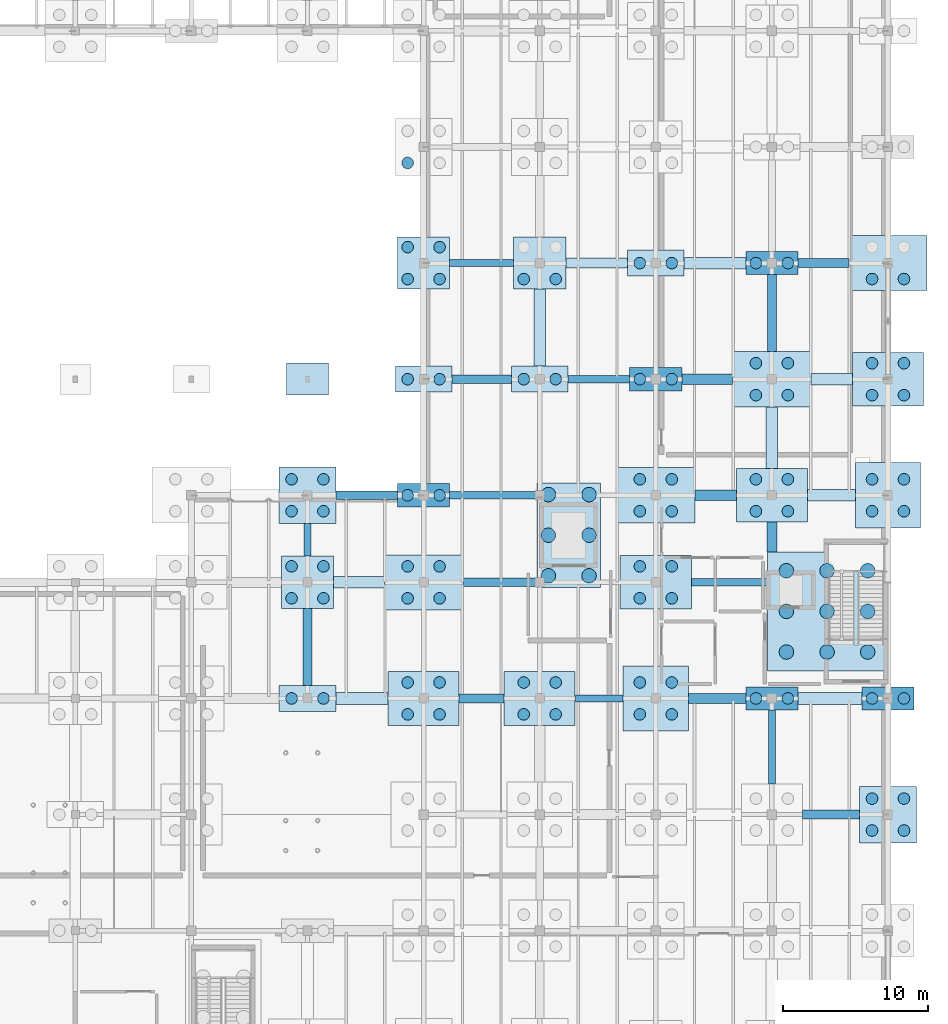
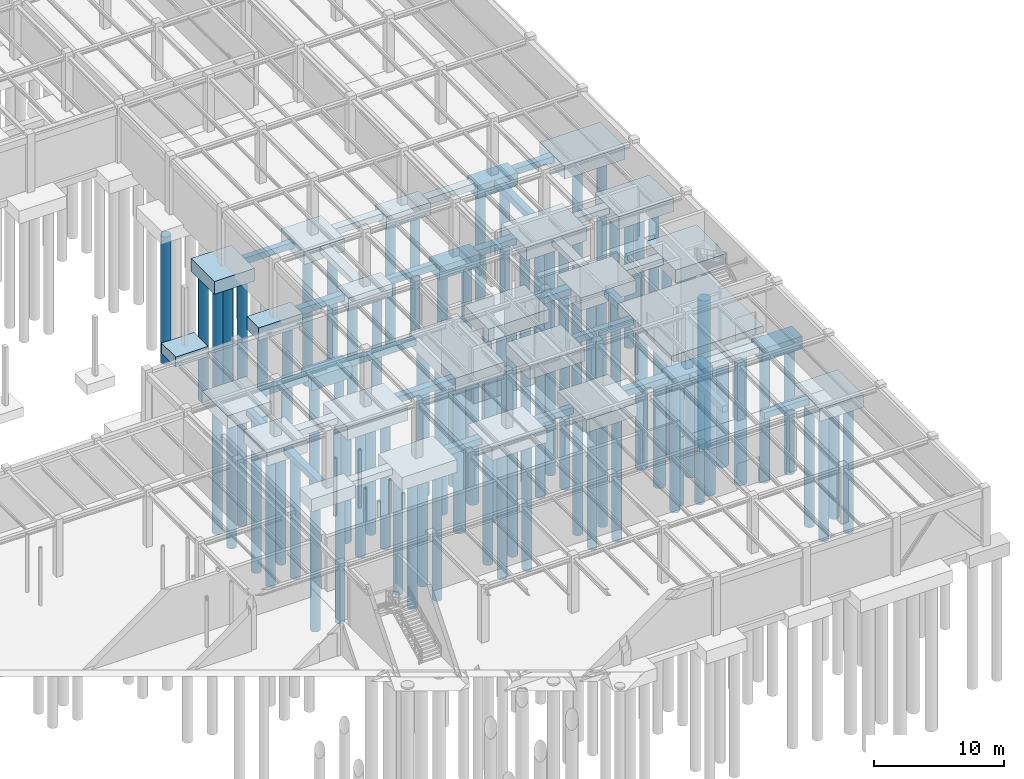
# One storey, part 8 of 71: 94 piles, 56 footings.
"""IFC4 building model written with IfcOpenShell, lengths in metres."""

from ifc_helpers import new_model, si_unit, direction, frame, origin, origin_2d, place, context, subcontext, project, spatial, rectangle, circle, extrude, material, material_profile, profile_set, type_object, element, save


model = new_model("IFC4")

# Units and contexts
model_context = context("Model", 3, precision=1e-05, world=origin(), true_north=direction((0.0, 1.0)))
body_context = subcontext(model_context, "Body", "Model", "MODEL_VIEW")
ifc_project = project(units=[si_unit("LENGTHUNIT", "METRE"), si_unit("AREAUNIT", "SQUARE_METRE"), si_unit("VOLUMEUNIT", "CUBIC_METRE"), si_unit("PLANEANGLEUNIT", "RADIAN"), si_unit("MASSUNIT", "GRAM", prefix="KILO")], contexts=[model_context])

# Site, building, storey
site_placement = place(None, origin())
site = spatial("IfcSite", under=ifc_project, at=site_placement, CompositionType="ELEMENT")
building_placement = place(site_placement, origin())
building = spatial("IfcBuilding", under=site, at=building_placement, Name="Sundkrona Museum", CompositionType="ELEMENT")
storey_placement = place(building_placement, frame((0.0, 0.0, -5.39990234375)))
storey = spatial("IfcBuildingStorey", under=building, at=storey_placement, Name="B1", CompositionType="ELEMENT", Elevation=-5.39990234375)

# Footings
ifc_material = material(Name="Concrete C40/50", Category="concrete")
footing_type_1 = type_object("IfcFootingType", Name="GB-500", PredefinedType="FOOTING_BEAM", material=ifc_material)
footing_1_placement = place(storey_placement, frame((148.10009765625, 32.0, -0.7001953125), z_axis=(0.0, 0.0, 1.0), x_axis=(1.0, 0.0, 0.0)))
element("IfcFooting", 1, at=footing_1_placement, inside=storey, type_object=footing_type_1, Name="Ground Tie Beam GB-X-042", PredefinedType="FOOTING_BEAM", context=body_context, shape_type="SweptSolid", body=[
    extrude(rectangle(XDim=3.300048828125, YDim=0.5, at=origin_2d()), origin(), (0.0, 0.0, 1.0), 0.60009765625),
])
footing_2_placement = place(storey_placement, frame((157.074951171875, 40.0, -0.7001953125), z_axis=(0.0, 0.0, 1.0), x_axis=(1.0, 0.0, 0.0)))
element("IfcFooting", 2, at=footing_2_placement, inside=storey, type_object=footing_type_1, Name="Ground Tie Beam GB-X-054", PredefinedType="FOOTING_BEAM", context=body_context, shape_type="SweptSolid", body=[
    extrude(rectangle(XDim=5.25, YDim=0.5, at=origin_2d()), origin(), (0.0, 0.0, 1.0), 0.60009765625),
])
footing_3_placement = place(storey_placement, frame((140.800048828125, 46.0, -0.7001953125), z_axis=(0.0, 0.0, 1.0), x_axis=(1.0, 0.0, 0.0)))
element("IfcFooting", 3, at=footing_3_placement, inside=storey, type_object=footing_type_1, Name="Ground Tie Beam GB-X-062", PredefinedType="FOOTING_BEAM", context=body_context, shape_type="SweptSolid", body=[
    extrude(rectangle(XDim=6.0, YDim=0.5, at=origin_2d()), origin(), (0.0, 0.0, 1.0), 0.60009765625),
])
footing_4_placement = place(storey_placement, frame((148.074951171875, 54.0, -0.7001953125), z_axis=(0.0, 0.0, 1.0), x_axis=(1.0, 0.0, 0.0)))
element("IfcFooting", 4, at=footing_4_placement, inside=storey, type_object=footing_type_1, Name="Ground Tie Beam GB-X-070", PredefinedType="FOOTING_BEAM", context=body_context, shape_type="SweptSolid", body=[
    extrude(rectangle(XDim=4.25, YDim=0.5, at=origin_2d()), origin(), (0.0, 0.0, 1.0), 0.60009765625),
])
footing_5_placement = place(storey_placement, frame((140.0, 62.0, -0.7001953125), z_axis=(0.0, 0.0, 1.0), x_axis=(1.0, 0.0, 0.0)))
element("IfcFooting", 5, at=footing_5_placement, inside=storey, type_object=footing_type_1, Name="Ground Tie Beam GB-X-078", PredefinedType="FOOTING_BEAM", context=body_context, shape_type="SweptSolid", body=[
    extrude(rectangle(XDim=4.39990234375, YDim=0.5, at=origin_2d()), origin(), (0.0, 0.0, 1.0), 0.60009765625),
])
footing_6_placement = place(storey_placement, frame((128.0, 42.925048828125, -0.7001953125), z_axis=(0.0, 0.0, 1.0), x_axis=(0.0, 1.0, 0.0)))
element("IfcFooting", 6, at=footing_6_placement, inside=storey, type_object=footing_type_1, Name="Ground Tie Beam GB-Y-262", PredefinedType="FOOTING_BEAM", context=body_context, shape_type="SweptSolid", body=[
    extrude(rectangle(XDim=2.25, YDim=0.5, at=origin_2d()), origin(), (0.0, 0.0, 1.0), 0.60009765625),
])
footing_7_placement = place(storey_placement, frame((160.0, 28.64990234375, -0.7001953125), z_axis=(0.0, 0.0, 1.0), x_axis=(0.0, 1.0, 0.0)))
element("IfcFooting", 7, at=footing_7_placement, inside=storey, type_object=footing_type_1, Name="Ground Tie Beam GB-Y-282", PredefinedType="FOOTING_BEAM", context=body_context, shape_type="SweptSolid", body=[
    extrude(rectangle(XDim=5.10009765625, YDim=0.5, at=origin_2d()), origin(), (0.0, 0.0, 1.0), 0.60009765625),
])
footing_type_2 = type_object("IfcFootingType", Name="GB-600", PredefinedType="FOOTING_BEAM", material=ifc_material)
footing_8_placement = place(storey_placement, frame((164.074951171875, 24.0, -0.7001953125), z_axis=(0.0, 0.0, 1.0), x_axis=(1.0, 0.0, 0.0)))
element("IfcFooting", 8, at=footing_8_placement, inside=storey, type_object=footing_type_2, Name="Ground Tie Beam GB-X-033", PredefinedType="FOOTING_BEAM", context=body_context, shape_type="SweptSolid", body=[
    extrude(rectangle(XDim=3.949951171875, YDim=0.60009765625, at=origin_2d()), origin(), (0.0, 0.0, 1.0), 0.60009765625),
])
footing_9_placement = place(storey_placement, frame((140.0, 32.0, -0.7001953125), z_axis=(0.0, 0.0, 1.0), x_axis=(1.0, 0.0, 0.0)))
element("IfcFooting", 9, at=footing_9_placement, inside=storey, type_object=footing_type_2, Name="Ground Tie Beam GB-X-041", PredefinedType="FOOTING_BEAM", context=body_context, shape_type="SweptSolid", body=[
    extrude(rectangle(XDim=3.10009765625, YDim=0.60009765625, at=origin_2d()), origin(), (0.0, 0.0, 1.0), 0.60009765625),
])
footing_10_placement = place(storey_placement, frame((141.25, 40.0, -0.7001953125), z_axis=(0.0, 0.0, 1.0), x_axis=(1.0, 0.0, 0.0)))
element("IfcFooting", 10, at=footing_10_placement, inside=storey, type_object=footing_type_2, Name="Ground Tie Beam GB-X-053", PredefinedType="FOOTING_BEAM", context=body_context, shape_type="SweptSolid", body=[
    extrude(rectangle(XDim=5.10009765625, YDim=0.60009765625, at=origin_2d()), origin(), (0.0, 0.0, 1.0), 0.60009765625),
])
footing_11_placement = place(storey_placement, frame((132.074951171875, 46.0, -0.7001953125), z_axis=(0.0, 0.0, 1.0), x_axis=(1.0, 0.0, 0.0)))
element("IfcFooting", 11, at=footing_11_placement, inside=storey, type_object=footing_type_2, Name="Ground Tie Beam GB-X-061", PredefinedType="FOOTING_BEAM", context=body_context, shape_type="SweptSolid", body=[
    extrude(rectangle(XDim=4.25, YDim=0.60009765625, at=origin_2d()), origin(), (0.0, 0.0, 1.0), 0.60009765625),
])
footing_12_placement = place(storey_placement, frame((140.0, 54.0, -0.7001953125), z_axis=(0.0, 0.0, 1.0), x_axis=(1.0, 0.0, 0.0)))
element("IfcFooting", 12, at=footing_12_placement, inside=storey, type_object=footing_type_2, Name="Ground Tie Beam GB-X-069", PredefinedType="FOOTING_BEAM", context=body_context, shape_type="SweptSolid", body=[
    extrude(rectangle(XDim=4.10009765625, YDim=0.60009765625, at=origin_2d()), origin(), (0.0, 0.0, 1.0), 0.60009765625),
])
footing_13_placement = place(storey_placement, frame((163.550048828125, 62.0, -0.7001953125), z_axis=(0.0, 0.0, 1.0), x_axis=(1.0, 0.0, 0.0)))
element("IfcFooting", 13, at=footing_13_placement, inside=storey, type_object=footing_type_2, Name="Ground Tie Beam GB-X-081", PredefinedType="FOOTING_BEAM", context=body_context, shape_type="SweptSolid", body=[
    extrude(rectangle(XDim=3.5, YDim=0.60009765625, at=origin_2d()), origin(), (0.0, 0.0, 1.0), 0.60009765625),
])
for number, where, z_axis, x_axis, name in (
    (14, (128.0, 35.550048828125, -0.7001953125), (0.0, 0.0, 1.0), (0.0, 1.0, 0.0), "Ground Tie Beam GB-Y-261"),
    (15, (160.0, 58.550048828125, -0.7001953125), (0.0, 0.0, 1.0), (0.0, 1.0, 0.0), "Ground Tie Beam GB-Y-285"),
):
    element("IfcFooting", number, at=place(storey_placement, frame(where, z_axis=z_axis, x_axis=x_axis)), inside=storey, type_object=footing_type_2, Name=name, PredefinedType="FOOTING_BEAM", context=body_context, shape_type="SweptSolid", body=[
        extrude(rectangle(XDim=5.300048828125, YDim=0.60009765625, at=origin_2d()), origin(), (0.0, 0.0, 1.0), 0.60009765625),
    ])
footing_type_3 = type_object("IfcFootingType", Name="GB-700", PredefinedType="FOOTING_BEAM", material=ifc_material)
footing_14_placement = place(storey_placement, frame((156.22509765625, 32.0, -0.7001953125), z_axis=(0.0, 0.0, 1.0), x_axis=(1.0, 0.0, 0.0)))
element("IfcFooting", 16, at=footing_14_placement, inside=storey, type_object=footing_type_3, Name="Ground Tie Beam GB-X-043", PredefinedType="FOOTING_BEAM", context=body_context, shape_type="SweptSolid", body=[
    extrude(rectangle(XDim=3.949951171875, YDim=0.699951171875, at=origin_2d()), origin(), (0.0, 0.0, 1.0), 0.60009765625),
])
footing_15_placement = place(storey_placement, frame((156.125, 46.0, -0.7001953125), z_axis=(0.0, 0.0, 1.0), x_axis=(1.0, 0.0, 0.0)))
element("IfcFooting", 17, at=footing_15_placement, inside=storey, type_object=footing_type_3, Name="Ground Tie Beam GB-X-063", PredefinedType="FOOTING_BEAM", context=body_context, shape_type="SweptSolid", body=[
    extrude(rectangle(XDim=2.85009765625, YDim=0.699951171875, at=origin_2d()), origin(), (0.0, 0.0, 1.0), 0.60009765625),
])
footing_16_placement = place(storey_placement, frame((155.550048828125, 54.0, -0.7001953125), z_axis=(0.0, 0.0, 1.0), x_axis=(1.0, 0.0, 0.0)))
element("IfcFooting", 18, at=footing_16_placement, inside=storey, type_object=footing_type_3, Name="Ground Tie Beam GB-X-071", PredefinedType="FOOTING_BEAM", context=body_context, shape_type="SweptSolid", body=[
    extrude(rectangle(XDim=3.5, YDim=0.699951171875, at=origin_2d()), origin(), (0.0, 0.0, 1.0), 0.60009765625),
])
footing_17_placement = place(storey_placement, frame((147.925048828125, 62.0, -0.7001953125), z_axis=(0.0, 0.0, 1.0), x_axis=(1.0, 0.0, 0.0)))
element("IfcFooting", 19, at=footing_17_placement, inside=storey, type_object=footing_type_3, Name="Ground Tie Beam GB-X-079", PredefinedType="FOOTING_BEAM", context=body_context, shape_type="SweptSolid", body=[
    extrude(rectangle(XDim=4.25, YDim=0.699951171875, at=origin_2d()), origin(), (0.0, 0.0, 1.0), 0.60009765625),
])
footing_18_placement = place(storey_placement, frame((160.0, 43.125, -0.7001953125), z_axis=(0.0, 0.0, 1.0), x_axis=(0.0, 1.0, 0.0)))
element("IfcFooting", 20, at=footing_18_placement, inside=storey, type_object=footing_type_3, Name="Ground Tie Beam GB-Y-283", PredefinedType="FOOTING_BEAM", context=body_context, shape_type="SweptSolid", body=[
    extrude(rectangle(XDim=2.050048828125, YDim=0.699951171875, at=origin_2d()), origin(), (0.0, 0.0, 1.0), 0.60009765625),
])
footing_type_4 = type_object("IfcFootingType", Name="GB-800", PredefinedType="FOOTING_BEAM", material=ifc_material)
footing_19_placement = place(storey_placement, frame((131.75, 32.0, -0.7001953125), z_axis=(0.0, 0.0, 1.0), x_axis=(1.0, 0.0, 0.0)))
element("IfcFooting", 21, at=footing_19_placement, inside=storey, type_object=footing_type_4, Name="Ground Tie Beam GB-X-040", PredefinedType="FOOTING_BEAM", context=body_context, shape_type="SweptSolid", body=[
    extrude(rectangle(XDim=3.60009765625, YDim=0.800048828125, at=origin_2d()), origin(), (0.0, 0.0, 1.0), 0.60009765625),
])
footing_20_placement = place(storey_placement, frame((164.0, 32.0, -0.7001953125), z_axis=(0.0, 0.0, 1.0), x_axis=(1.0, 0.0, 0.0)))
element("IfcFooting", 22, at=footing_20_placement, inside=storey, type_object=footing_type_4, Name="Ground Tie Beam GB-X-044", PredefinedType="FOOTING_BEAM", context=body_context, shape_type="SweptSolid", body=[
    extrude(rectangle(XDim=4.39990234375, YDim=0.800048828125, at=origin_2d()), origin(), (0.0, 0.0, 1.0), 0.60009765625),
])
footing_21_placement = place(storey_placement, frame((131.550048828125, 40.0, -0.7001953125), z_axis=(0.0, 0.0, 1.0), x_axis=(1.0, 0.0, 0.0)))
element("IfcFooting", 23, at=footing_21_placement, inside=storey, type_object=footing_type_4, Name="Ground Tie Beam GB-X-052", PredefinedType="FOOTING_BEAM", context=body_context, shape_type="SweptSolid", body=[
    extrude(rectangle(XDim=3.5, YDim=0.800048828125, at=origin_2d()), origin(), (0.0, 0.0, 1.0), 0.60009765625),
])
footing_22_placement = place(storey_placement, frame((164.10009765625, 46.0, -0.7001953125), z_axis=(0.0, 0.0, 1.0), x_axis=(1.0, 0.0, 0.0)))
element("IfcFooting", 24, at=footing_22_placement, inside=storey, type_object=footing_type_4, Name="Ground Tie Beam GB-X-064", PredefinedType="FOOTING_BEAM", context=body_context, shape_type="SweptSolid", body=[
    extrude(rectangle(XDim=3.300048828125, YDim=0.800048828125, at=origin_2d()), origin(), (0.0, 0.0, 1.0), 0.60009765625),
])
footing_23_placement = place(storey_placement, frame((164.125, 54.0, -0.7001953125), z_axis=(0.0, 0.0, 1.0), x_axis=(1.0, 0.0, 0.0)))
element("IfcFooting", 25, at=footing_23_placement, inside=storey, type_object=footing_type_4, Name="Ground Tie Beam GB-X-072", PredefinedType="FOOTING_BEAM", context=body_context, shape_type="SweptSolid", body=[
    extrude(rectangle(XDim=2.85009765625, YDim=0.800048828125, at=origin_2d()), origin(), (0.0, 0.0, 1.0), 0.60009765625),
])
footing_24_placement = place(storey_placement, frame((156.074951171875, 62.0, -0.7001953125), z_axis=(0.0, 0.0, 1.0), x_axis=(1.0, 0.0, 0.0)))
element("IfcFooting", 26, at=footing_24_placement, inside=storey, type_object=footing_type_4, Name="Ground Tie Beam GB-X-080", PredefinedType="FOOTING_BEAM", context=body_context, shape_type="SweptSolid", body=[
    extrude(rectangle(XDim=4.25, YDim=0.800048828125, at=origin_2d()), origin(), (0.0, 0.0, 1.0), 0.60009765625),
])
footing_25_placement = place(storey_placement, frame((144.0, 57.550048828125, -0.7001953125), z_axis=(0.0, 0.0, 1.0), x_axis=(0.0, 1.0, 0.0)))
element("IfcFooting", 27, at=footing_25_placement, inside=storey, type_object=footing_type_4, Name="Ground Tie Beam GB-Y-272", PredefinedType="FOOTING_BEAM", context=body_context, shape_type="SweptSolid", body=[
    extrude(rectangle(XDim=5.300048828125, YDim=0.800048828125, at=origin_2d()), origin(), (0.0, 0.0, 1.0), 0.60009765625),
])
footing_26_placement = place(storey_placement, frame((160.0, 49.97509765625, -0.7001953125), z_axis=(0.0, 0.0, 1.0), x_axis=(0.0, 1.0, 0.0)))
element("IfcFooting", 28, at=footing_26_placement, inside=storey, type_object=footing_type_4, Name="Ground Tie Beam GB-Y-284", PredefinedType="FOOTING_BEAM", context=body_context, shape_type="SweptSolid", body=[
    extrude(rectangle(XDim=4.25, YDim=0.800048828125, at=origin_2d()), origin(), (0.0, 0.0, 1.0), 0.60009765625),
])

# Piles
ifc_material_profile_1 = material_profile(ifc_material, circle(Radius=0.5, at=origin_2d()), Name="PILE D1000")
ifc_profile_set_1 = profile_set([ifc_material_profile_1], Name="Concrete C40/50")
pile_type_1 = type_object("IfcPileType", Name="P-1000", PredefinedType="BORED", material=ifc_profile_set_1)
for number, where, z_axis, x_axis, name in (
    (29, (161.0, 35.199951171875, -1.150146484375), (0.0, 0.0, -1.0), (1.0, 0.0, 0.0), "Bored Pile FC-CORE1-P01"),
    (30, (163.800048828125, 35.199951171875, -1.150146484375), (0.0, 0.0, -1.0), (1.0, 0.0, 0.0), "Bored Pile FC-CORE1-P02"),
    (31, (166.60009765625, 35.199951171875, -1.150146484375), (0.0, 0.0, -1.0), (1.0, 0.0, 0.0), "Bored Pile FC-CORE1-P03"),
    (32, (161.0, 38.0, -1.150146484375), (0.0, 0.0, -1.0), (1.0, 0.0, 0.0), "Bored Pile FC-CORE1-P04"),
    (33, (163.800048828125, 38.0, -1.150146484375), (0.0, 0.0, -1.0), (1.0, 0.0, 0.0), "Bored Pile FC-CORE1-P05"),
    (34, (166.60009765625, 38.0, -1.150146484375), (0.0, 0.0, -1.0), (1.0, 0.0, 0.0), "Bored Pile FC-CORE1-P06"),
    (35, (161.0, 40.800048828125, -1.150146484375), (0.0, 0.0, -1.0), (1.0, 0.0, 0.0), "Bored Pile FC-CORE1-P07"),
    (36, (163.800048828125, 40.800048828125, -1.150146484375), (0.0, 0.0, -1.0), (1.0, 0.0, 0.0), "Bored Pile FC-CORE1-P08"),
    (37, (166.60009765625, 40.800048828125, -1.150146484375), (0.0, 0.0, -1.0), (1.0, 0.0, 0.0), "Bored Pile FC-CORE1-P09"),
    (38, (147.39990234375, 40.449951171875, -1.150146484375), (0.0, 0.0, -1.0), (1.0, 0.0, 0.0), "Bored Pile FC-GL1-P01"),
    (39, (147.39990234375, 43.25, -1.150146484375), (0.0, 0.0, -1.0), (1.0, 0.0, 0.0), "Bored Pile FC-GL1-P02"),
    (40, (147.39990234375, 46.050048828125, -1.150146484375), (0.0, 0.0, -1.0), (1.0, 0.0, 0.0), "Bored Pile FC-GL1-P03"),
    (41, (144.60009765625, 40.449951171875, -1.150146484375), (0.0, 0.0, -1.0), (1.0, 0.0, 0.0), "Bored Pile FC-GL1-P04"),
    (42, (144.60009765625, 43.25, -1.150146484375), (0.0, 0.0, -1.0), (1.0, 0.0, 0.0), "Bored Pile FC-GL1-P05"),
    (43, (144.60009765625, 46.050048828125, -1.150146484375), (0.0, 0.0, -1.0), (1.0, 0.0, 0.0), "Bored Pile FC-GL1-P06"),
):
    element("IfcPile", number, at=place(storey_placement, frame(where, z_axis=z_axis, x_axis=x_axis)), inside=storey, type_object=pile_type_1, Name=name, PredefinedType="BORED", context=body_context, shape_type="SweptSolid", body=[
        extrude(circle(Radius=0.5, at=origin_2d()), origin(), (0.0, 0.0, 1.0), 14.0),
    ])
ifc_material_profile_2 = material_profile(ifc_material, circle(Radius=0.39990234375, at=origin_2d()), Name="PILE D800")
ifc_profile_set_2 = profile_set([ifc_material_profile_2], Name="Concrete C40/50")
pile_type_2 = type_object("IfcPileType", Name="P-800", PredefinedType="BORED", material=ifc_profile_set_2)
for number, where, z_axis, x_axis, name in (
    (44, (126.89990234375, 32.0, -1.150146484375), (0.0, 0.0, -1.0), (1.0, 0.0, 0.0), "Bored Pile FC-E-17-P01"),
    (45, (129.10009765625, 32.0, -1.150146484375), (0.0, 0.0, -1.0), (1.0, 0.0, 0.0), "Bored Pile FC-E-17-P02"),
    (46, (126.89990234375, 38.89990234375, -1.150146484375), (0.0, 0.0, -1.0), (1.0, 0.0, 0.0), "Bored Pile FC-F-17-P01"),
    (47, (129.10009765625, 38.89990234375, -1.150146484375), (0.0, 0.0, -1.0), (1.0, 0.0, 0.0), "Bored Pile FC-F-17-P02"),
    (48, (126.89990234375, 41.10009765625, -1.150146484375), (0.0, 0.0, -1.0), (1.0, 0.0, 0.0), "Bored Pile FC-F-17-P03"),
    (49, (129.10009765625, 41.10009765625, -1.150146484375), (0.0, 0.0, -1.0), (1.0, 0.0, 0.0), "Bored Pile FC-F-17-P04"),
    (50, (126.89990234375, 44.89990234375, -1.150146484375), (0.0, 0.0, -1.0), (1.0, 0.0, 0.0), "Bored Pile FC-G-17-P01"),
    (51, (129.10009765625, 44.89990234375, -1.150146484375), (0.0, 0.0, -1.0), (1.0, 0.0, 0.0), "Bored Pile FC-G-17-P02"),
    (52, (126.89990234375, 47.10009765625, -1.150146484375), (0.0, 0.0, -1.0), (1.0, 0.0, 0.0), "Bored Pile FC-G-17-P03"),
    (53, (129.10009765625, 47.10009765625, -1.150146484375), (0.0, 0.0, -1.0), (1.0, 0.0, 0.0), "Bored Pile FC-G-17-P04"),
    (54, (134.89990234375, 30.89990234375, -1.150146484375), (0.0, 0.0, -1.0), (1.0, 0.0, 0.0), "Bored Pile FC-E-18-P01"),
    (55, (137.10009765625, 30.89990234375, -1.150146484375), (0.0, 0.0, -1.0), (1.0, 0.0, 0.0), "Bored Pile FC-E-18-P02"),
    (56, (134.89990234375, 33.10009765625, -1.150146484375), (0.0, 0.0, -1.0), (1.0, 0.0, 0.0), "Bored Pile FC-E-18-P03"),
    (57, (137.10009765625, 33.10009765625, -1.150146484375), (0.0, 0.0, -1.0), (1.0, 0.0, 0.0), "Bored Pile FC-E-18-P04"),
    (58, (134.89990234375, 38.89990234375, -1.150146484375), (0.0, 0.0, -1.0), (1.0, 0.0, 0.0), "Bored Pile FC-F-18-P01"),
    (59, (137.10009765625, 38.89990234375, -1.150146484375), (0.0, 0.0, -1.0), (1.0, 0.0, 0.0), "Bored Pile FC-F-18-P02"),
    (60, (134.89990234375, 41.10009765625, -1.150146484375), (0.0, 0.0, -1.0), (1.0, 0.0, 0.0), "Bored Pile FC-F-18-P03"),
    (61, (137.10009765625, 41.10009765625, -1.150146484375), (0.0, 0.0, -1.0), (1.0, 0.0, 0.0), "Bored Pile FC-F-18-P04"),
    (62, (134.89990234375, 46.0, -1.150146484375), (0.0, 0.0, -1.0), (1.0, 0.0, 0.0), "Bored Pile FC-G-18-P01"),
    (63, (137.10009765625, 46.0, -1.150146484375), (0.0, 0.0, -1.0), (1.0, 0.0, 0.0), "Bored Pile FC-G-18-P02"),
    (64, (134.89990234375, 54.0, -1.150146484375), (0.0, 0.0, -1.0), (1.0, 0.0, 0.0), "Bored Pile FC-H-18-P01"),
    (65, (137.10009765625, 54.0, -1.150146484375), (0.0, 0.0, -1.0), (1.0, 0.0, 0.0), "Bored Pile FC-H-18-P02"),
    (66, (134.89990234375, 60.89990234375, -1.150146484375), (0.0, 0.0, -1.0), (1.0, 0.0, 0.0), "Bored Pile FC-J-18-P01"),
    (67, (137.10009765625, 60.89990234375, -1.150146484375), (0.0, 0.0, -1.0), (1.0, 0.0, 0.0), "Bored Pile FC-J-18-P02"),
    (68, (134.89990234375, 63.10009765625, -1.150146484375), (0.0, 0.0, -1.0), (1.0, 0.0, 0.0), "Bored Pile FC-J-18-P03"),
    (69, (137.10009765625, 63.10009765625, -1.150146484375), (0.0, 0.0, -1.0), (1.0, 0.0, 0.0), "Bored Pile FC-J-18-P04"),
    (70, (134.89990234375, 68.89990234375, -1.150146484375), (0.0, 0.0, -1.0), (1.0, 0.0, 0.0), "Bored Pile FC-K-18-P01"),
    (71, (142.89990234375, 30.89990234375, -1.150146484375), (0.0, 0.0, -1.0), (1.0, 0.0, 0.0), "Bored Pile FC-E-19-P01"),
    (72, (145.10009765625, 30.89990234375, -1.150146484375), (0.0, 0.0, -1.0), (1.0, 0.0, 0.0), "Bored Pile FC-E-19-P02"),
    (73, (142.89990234375, 33.10009765625, -1.150146484375), (0.0, 0.0, -1.0), (1.0, 0.0, 0.0), "Bored Pile FC-E-19-P03"),
    (74, (145.10009765625, 33.10009765625, -1.150146484375), (0.0, 0.0, -1.0), (1.0, 0.0, 0.0), "Bored Pile FC-E-19-P04"),
    (75, (142.89990234375, 54.0, -1.150146484375), (0.0, 0.0, -1.0), (1.0, 0.0, 0.0), "Bored Pile FC-H-19-P01"),
    (76, (145.10009765625, 54.0, -1.150146484375), (0.0, 0.0, -1.0), (1.0, 0.0, 0.0), "Bored Pile FC-H-19-P02"),
    (77, (142.89990234375, 60.89990234375, -1.150146484375), (0.0, 0.0, -1.0), (1.0, 0.0, 0.0), "Bored Pile FC-J-19-P01"),
    (78, (145.10009765625, 60.89990234375, -1.150146484375), (0.0, 0.0, -1.0), (1.0, 0.0, 0.0), "Bored Pile FC-J-19-P02"),
    (79, (150.89990234375, 30.89990234375, -1.150146484375), (0.0, 0.0, -1.0), (1.0, 0.0, 0.0), "Bored Pile FC-E-20-P01"),
    (80, (153.10009765625, 30.89990234375, -1.150146484375), (0.0, 0.0, -1.0), (1.0, 0.0, 0.0), "Bored Pile FC-E-20-P02"),
    (81, (150.89990234375, 33.10009765625, -1.150146484375), (0.0, 0.0, -1.0), (1.0, 0.0, 0.0), "Bored Pile FC-E-20-P03"),
    (82, (153.10009765625, 33.10009765625, -1.150146484375), (0.0, 0.0, -1.0), (1.0, 0.0, 0.0), "Bored Pile FC-E-20-P04"),
    (83, (150.89990234375, 38.89990234375, -1.150146484375), (0.0, 0.0, -1.0), (1.0, 0.0, 0.0), "Bored Pile FC-F-20-P01"),
    (84, (153.10009765625, 38.89990234375, -1.150146484375), (0.0, 0.0, -1.0), (1.0, 0.0, 0.0), "Bored Pile FC-F-20-P02"),
    (85, (150.89990234375, 41.10009765625, -1.150146484375), (0.0, 0.0, -1.0), (1.0, 0.0, 0.0), "Bored Pile FC-F-20-P03"),
    (86, (153.10009765625, 41.10009765625, -1.150146484375), (0.0, 0.0, -1.0), (1.0, 0.0, 0.0), "Bored Pile FC-F-20-P04"),
    (87, (150.89990234375, 44.89990234375, -1.150146484375), (0.0, 0.0, -1.0), (1.0, 0.0, 0.0), "Bored Pile FC-G-20-P01"),
    (88, (153.10009765625, 44.89990234375, -1.150146484375), (0.0, 0.0, -1.0), (1.0, 0.0, 0.0), "Bored Pile FC-G-20-P02"),
    (89, (150.89990234375, 47.10009765625, -1.150146484375), (0.0, 0.0, -1.0), (1.0, 0.0, 0.0), "Bored Pile FC-G-20-P03"),
    (90, (153.10009765625, 47.10009765625, -1.150146484375), (0.0, 0.0, -1.0), (1.0, 0.0, 0.0), "Bored Pile FC-G-20-P04"),
    (91, (150.89990234375, 54.0, -1.150146484375), (0.0, 0.0, -1.0), (1.0, 0.0, 0.0), "Bored Pile FC-H-20-P01"),
    (92, (153.10009765625, 54.0, -1.150146484375), (0.0, 0.0, -1.0), (1.0, 0.0, 0.0), "Bored Pile FC-H-20-P02"),
    (93, (150.89990234375, 62.0, -1.150146484375), (0.0, 0.0, -1.0), (1.0, 0.0, 0.0), "Bored Pile FC-J-20-P01"),
    (94, (153.10009765625, 62.0, -1.150146484375), (0.0, 0.0, -1.0), (1.0, 0.0, 0.0), "Bored Pile FC-J-20-P02"),
    (95, (158.89990234375, 32.0, -1.150146484375), (0.0, 0.0, -1.0), (1.0, 0.0, 0.0), "Bored Pile FC-E-21-P01"),
    (96, (161.10009765625, 32.0, -1.150146484375), (0.0, 0.0, -1.0), (1.0, 0.0, 0.0), "Bored Pile FC-E-21-P02"),
    (97, (158.89990234375, 44.89990234375, -1.150146484375), (0.0, 0.0, -1.0), (1.0, 0.0, 0.0), "Bored Pile FC-G-21-P01"),
    (98, (161.10009765625, 44.89990234375, -1.150146484375), (0.0, 0.0, -1.0), (1.0, 0.0, 0.0), "Bored Pile FC-G-21-P02"),
    (99, (158.89990234375, 47.10009765625, -1.150146484375), (0.0, 0.0, -1.0), (1.0, 0.0, 0.0), "Bored Pile FC-G-21-P03"),
    (100, (161.10009765625, 47.10009765625, -1.150146484375), (0.0, 0.0, -1.0), (1.0, 0.0, 0.0), "Bored Pile FC-G-21-P04"),
    (101, (158.89990234375, 52.89990234375, -1.150146484375), (0.0, 0.0, -1.0), (1.0, 0.0, 0.0), "Bored Pile FC-H-21-P01"),
    (102, (161.10009765625, 52.89990234375, -1.150146484375), (0.0, 0.0, -1.0), (1.0, 0.0, 0.0), "Bored Pile FC-H-21-P02"),
    (103, (158.89990234375, 55.10009765625, -1.150146484375), (0.0, 0.0, -1.0), (1.0, 0.0, 0.0), "Bored Pile FC-H-21-P03"),
    (104, (161.10009765625, 55.10009765625, -1.150146484375), (0.0, 0.0, -1.0), (1.0, 0.0, 0.0), "Bored Pile FC-H-21-P04"),
    (105, (158.89990234375, 62.0, -1.150146484375), (0.0, 0.0, -1.0), (1.0, 0.0, 0.0), "Bored Pile FC-J-21-P01"),
    (106, (161.10009765625, 62.0, -1.150146484375), (0.0, 0.0, -1.0), (1.0, 0.0, 0.0), "Bored Pile FC-J-21-P02"),
    (107, (166.89990234375, 22.89990234375, -1.150146484375), (0.0, 0.0, -1.0), (1.0, 0.0, 0.0), "Bored Pile FC-D-22-P01"),
    (108, (169.10009765625, 22.89990234375, -1.150146484375), (0.0, 0.0, -1.0), (1.0, 0.0, 0.0), "Bored Pile FC-D-22-P02"),
    (109, (166.89990234375, 25.10009765625, -1.150146484375), (0.0, 0.0, -1.0), (1.0, 0.0, 0.0), "Bored Pile FC-D-22-P03"),
    (110, (169.10009765625, 25.10009765625, -1.150146484375), (0.0, 0.0, -1.0), (1.0, 0.0, 0.0), "Bored Pile FC-D-22-P04"),
    (111, (166.89990234375, 32.0, -1.150146484375), (0.0, 0.0, -1.0), (1.0, 0.0, 0.0), "Bored Pile FC-E-22-P01"),
    (112, (169.10009765625, 32.0, -1.150146484375), (0.0, 0.0, -1.0), (1.0, 0.0, 0.0), "Bored Pile FC-E-22-P02"),
    (113, (166.89990234375, 44.89990234375, -1.150146484375), (0.0, 0.0, -1.0), (1.0, 0.0, 0.0), "Bored Pile FC-G-22-P01"),
    (114, (169.10009765625, 44.89990234375, -1.150146484375), (0.0, 0.0, -1.0), (1.0, 0.0, 0.0), "Bored Pile FC-G-22-P02"),
    (115, (166.89990234375, 47.10009765625, -1.150146484375), (0.0, 0.0, -1.0), (1.0, 0.0, 0.0), "Bored Pile FC-G-22-P03"),
    (116, (169.10009765625, 47.10009765625, -1.150146484375), (0.0, 0.0, -1.0), (1.0, 0.0, 0.0), "Bored Pile FC-G-22-P04"),
    (117, (166.89990234375, 52.89990234375, -1.150146484375), (0.0, 0.0, -1.0), (1.0, 0.0, 0.0), "Bored Pile FC-H-22-P01"),
    (118, (169.10009765625, 52.89990234375, -1.150146484375), (0.0, 0.0, -1.0), (1.0, 0.0, 0.0), "Bored Pile FC-H-22-P02"),
    (119, (166.89990234375, 55.10009765625, -1.150146484375), (0.0, 0.0, -1.0), (1.0, 0.0, 0.0), "Bored Pile FC-H-22-P03"),
    (120, (169.10009765625, 55.10009765625, -1.150146484375), (0.0, 0.0, -1.0), (1.0, 0.0, 0.0), "Bored Pile FC-H-22-P04"),
    (121, (166.89990234375, 60.89990234375, -1.150146484375), (0.0, 0.0, -1.0), (1.0, 0.0, 0.0), "Bored Pile FC-J-22-P01"),
    (122, (169.10009765625, 60.89990234375, -1.150146484375), (0.0, 0.0, -1.0), (1.0, 0.0, 0.0), "Bored Pile FC-J-22-P02"),
):
    element("IfcPile", number, at=place(storey_placement, frame(where, z_axis=z_axis, x_axis=x_axis)), inside=storey, type_object=pile_type_2, Name=name, PredefinedType="BORED", context=body_context, shape_type="SweptSolid", body=[
        extrude(circle(Radius=0.39990234375, at=origin_2d()), origin(), (0.0, 0.0, 1.0), 12.0),
    ])

# Footings
footing_type_5 = type_object("IfcFootingType", Name="PC-2A", PredefinedType="PILE_CAP", material=ifc_material)
for number, where, z_axis, x_axis, name in (
    (123, (136.0, 46.0, -1.30029296875), (0.0, 0.0, 1.0), (1.0, 0.0, 0.0), "Column Pile Cap G/18"),
    (124, (152.0, 54.0, -1.30029296875), (0.0, 0.0, 1.0), (1.0, 0.0, 0.0), "Column Pile Cap H/20"),
    (125, (160.0, 32.0, -1.30029296875), (0.0, 0.0, 1.0), (1.0, 0.0, 0.0), "Column Pile Cap E/21"),
    (126, (160.0, 62.0, -1.30029296875), (0.0, 0.0, 1.0), (1.0, 0.0, 0.0), "Column Pile Cap J/21"),
    (127, (168.0, 32.0, -1.30029296875), (0.0, 0.0, 1.0), (1.0, 0.0, 0.0), "Column Pile Cap E/22"),
):
    element("IfcFooting", number, at=place(storey_placement, frame(where, z_axis=z_axis, x_axis=x_axis)), inside=storey, type_object=footing_type_5, Name=name, PredefinedType="PILE_CAP", context=body_context, shape_type="SweptSolid", body=[
        extrude(rectangle(XDim=3.60009765625, YDim=1.60009765625, at=origin_2d()), origin(), (0.0, 0.0, 1.0), 1.199951171875),
    ])
footing_type_6 = type_object("IfcFootingType", Name="PC-2B", PredefinedType="PILE_CAP", material=ifc_material)
for number, where, z_axis, x_axis, name in (
    (128, (128.0, 32.0, -1.30029296875), (0.0, 0.0, 1.0), (1.0, 0.0, 0.0), "Column Pile Cap E/17"),
    (129, (136.0, 54.0, -1.30029296875), (0.0, 0.0, 1.0), (1.0, 0.0, 0.0), "Column Pile Cap H/18"),
    (130, (144.0, 54.0, -1.30029296875), (0.0, 0.0, 1.0), (1.0, 0.0, 0.0), "Column Pile Cap H/19"),
    (131, (152.0, 62.0, -1.30029296875), (0.0, 0.0, 1.0), (1.0, 0.0, 0.0), "Column Pile Cap J/20"),
):
    element("IfcFooting", number, at=place(storey_placement, frame(where, z_axis=z_axis, x_axis=x_axis)), inside=storey, type_object=footing_type_6, Name=name, PredefinedType="PILE_CAP", context=body_context, shape_type="SweptSolid", body=[
        extrude(rectangle(XDim=3.89990234375, YDim=1.800048828125, at=origin_2d()), origin(), (0.0, 0.0, 1.0), 1.199951171875),
    ])
footing_type_7 = type_object("IfcFootingType", Name="PC-4A", PredefinedType="PILE_CAP", material=ifc_material)
for number, where, z_axis, x_axis, name in (
    (132, (128.0, 40.0, -1.30029296875), (0.0, 0.0, 1.0), (1.0, 0.0, 0.0), "Column Pile Cap F/17"),
    (133, (136.0, 62.0, -1.30029296875), (0.0, 0.0, 1.0), (1.0, 0.0, 0.0), "Column Pile Cap J/18"),
    (134, (144.0, 62.0, -1.30029296875), (0.0, 0.0, 1.0), (1.0, 0.0, 0.0), "Column Pile Cap J/19"),
):
    element("IfcFooting", number, at=place(storey_placement, frame(where, z_axis=z_axis, x_axis=x_axis)), inside=storey, type_object=footing_type_7, Name=name, PredefinedType="PILE_CAP", context=body_context, shape_type="SweptSolid", body=[
        extrude(rectangle(XDim=3.60009765625, YDim=3.60009765625, at=origin_2d()), origin(), (0.0, 0.0, 1.0), 1.199951171875),
    ])
footing_type_8 = type_object("IfcFootingType", Name="PC-4B", PredefinedType="PILE_CAP", material=ifc_material)
for number, where, z_axis, x_axis, name in (
    (135, (128.0, 46.0, -1.30029296875), (0.0, 0.0, 1.0), (1.0, 0.0, 0.0), "Column Pile Cap G/17"),
    (136, (168.0, 24.0, -1.30029296875), (0.0, 0.0, 1.0), (1.0, 0.0, 0.0), "Column Pile Cap D/22"),
):
    element("IfcFooting", number, at=place(storey_placement, frame(where, z_axis=z_axis, x_axis=x_axis)), inside=storey, type_object=footing_type_8, Name=name, PredefinedType="PILE_CAP", context=body_context, shape_type="SweptSolid", body=[
        extrude(rectangle(XDim=3.89990234375, YDim=3.89990234375, at=origin_2d()), origin(), (0.0, 0.0, 1.0), 1.199951171875),
    ])
footing_type_9 = type_object("IfcFootingType", Name="PC-4D", PredefinedType="PILE_CAP", material=ifc_material)
for number, where, z_axis, x_axis, name in (
    (137, (152.0, 32.0, -1.30029296875), (0.0, 0.0, 1.0), (1.0, 0.0, 0.0), "Column Pile Cap E/20"),
    (138, (168.0, 46.0, -1.30029296875), (0.0, 0.0, 1.0), (1.0, 0.0, 0.0), "Column Pile Cap G/22"),
):
    element("IfcFooting", number, at=place(storey_placement, frame(where, z_axis=z_axis, x_axis=x_axis)), inside=storey, type_object=footing_type_9, Name=name, PredefinedType="PILE_CAP", context=body_context, shape_type="SweptSolid", body=[
        extrude(rectangle(XDim=4.5, YDim=4.5, at=origin_2d()), origin(), (0.0, 0.0, 1.0), 1.199951171875),
    ])
footing_type_10 = type_object("IfcFootingType", Name="PC-4E", PredefinedType="PILE_CAP", material=ifc_material)
for number, where, z_axis, x_axis, name in (
    (139, (136.0, 32.0, -1.30029296875), (0.0, 0.0, 1.0), (1.0, 0.0, 0.0), "Column Pile Cap E/18"),
    (140, (144.0, 32.0, -1.30029296875), (0.0, 0.0, 1.0), (1.0, 0.0, 0.0), "Column Pile Cap E/19"),
    (141, (152.0, 40.0, -1.30029296875), (0.0, 0.0, 1.0), (1.0, 0.0, 0.0), "Column Pile Cap F/20"),
    (142, (160.0, 46.0, -1.30029296875), (0.0, 0.0, 1.0), (1.0, 0.0, 0.0), "Column Pile Cap G/21"),
    (143, (168.0, 54.0, -1.30029296875), (0.0, 0.0, 1.0), (1.0, 0.0, 0.0), "Column Pile Cap H/22"),
):
    element("IfcFooting", number, at=place(storey_placement, frame(where, z_axis=z_axis, x_axis=x_axis)), inside=storey, type_object=footing_type_10, Name=name, PredefinedType="PILE_CAP", context=body_context, shape_type="SweptSolid", body=[
        extrude(rectangle(XDim=4.89990234375, YDim=3.699951171875, at=origin_2d()), origin(), (0.0, 0.0, 1.0), 1.199951171875),
    ])
footing_type_11 = type_object("IfcFootingType", Name="PC-4F", PredefinedType="PILE_CAP", material=ifc_material)
for number, where, z_axis, x_axis, name in (
    (144, (136.0, 40.0, -1.30029296875), (0.0, 0.0, 1.0), (1.0, 0.0, 0.0), "Column Pile Cap F/18"),
    (145, (152.0, 46.0, -1.30029296875), (0.0, 0.0, 1.0), (1.0, 0.0, 0.0), "Column Pile Cap G/20"),
    (146, (160.0, 54.0, -1.30029296875), (0.0, 0.0, 1.0), (1.0, 0.0, 0.0), "Column Pile Cap H/21"),
    (147, (168.0, 62.0, -1.30029296875), (0.0, 0.0, 1.0), (1.0, 0.0, 0.0), "Column Pile Cap J/22"),
):
    element("IfcFooting", number, at=place(storey_placement, frame(where, z_axis=z_axis, x_axis=x_axis)), inside=storey, type_object=footing_type_11, Name=name, PredefinedType="PILE_CAP", context=body_context, shape_type="SweptSolid", body=[
        extrude(rectangle(XDim=5.39990234375, YDim=3.800048828125, at=origin_2d()), origin(), (0.0, 0.0, 1.0), 1.199951171875),
    ])
footing_type_12 = type_object("IfcFootingType", Name="PC-6A", PredefinedType="PILE_CAP", material=ifc_material)
footing_27_placement = place(storey_placement, frame((146.0, 43.25, -1.30029296875), z_axis=(0.0, 0.0, 1.0), x_axis=(0.0, 1.0, 0.0)))
element("IfcFooting", 148, at=footing_27_placement, inside=storey, type_object=footing_type_12, Name="Goods Lift GL-1 Pile Cap", PredefinedType="PILE_CAP", context=body_context, shape_type="SweptSolid", body=[
    extrude(rectangle(XDim=7.199951171875, YDim=4.39990234375, at=origin_2d()), origin(), (0.0, 0.0, 1.0), 1.199951171875),
])
footing_type_13 = type_object("IfcFootingType", Name="PC-9B", PredefinedType="PILE_CAP", material=ifc_material)
footing_28_placement = place(storey_placement, frame((163.800048828125, 38.0, -1.30029296875), z_axis=(0.0, 0.0, 1.0), x_axis=(1.0, 0.0, 0.0)))
element("IfcFooting", 149, at=footing_28_placement, inside=storey, type_object=footing_type_13, Name="Core 1 ST-1 and PL-1 Combined Pile Cap", PredefinedType="PILE_CAP", context=body_context, shape_type="SweptSolid", body=[
    extrude(rectangle(XDim=8.199951171875, YDim=8.199951171875, at=origin_2d()), origin(), (0.0, 0.0, 1.0), 1.199951171875),
])
footing_type_14 = type_object("IfcFootingType", Name="PF-290", PredefinedType="PAD_FOOTING", material=ifc_material)
footing_29_placement = place(storey_placement, frame((128.0, 54.0, -1.05029296875), z_axis=(0.0, 0.0, 1.0), x_axis=(1.0, 0.0, 0.0)))
element("IfcFooting", 150, at=footing_29_placement, inside=storey, type_object=footing_type_14, Name="Courtyard Arcade Pad Footing PF-SC-04", PredefinedType="PAD_FOOTING", context=body_context, shape_type="SweptSolid", body=[
    extrude(rectangle(XDim=2.89990234375, YDim=2.199951171875, at=origin_2d()), origin(), (0.0, 0.0, 1.0), 0.949951171875),
])

save(model, "model.ifc")
